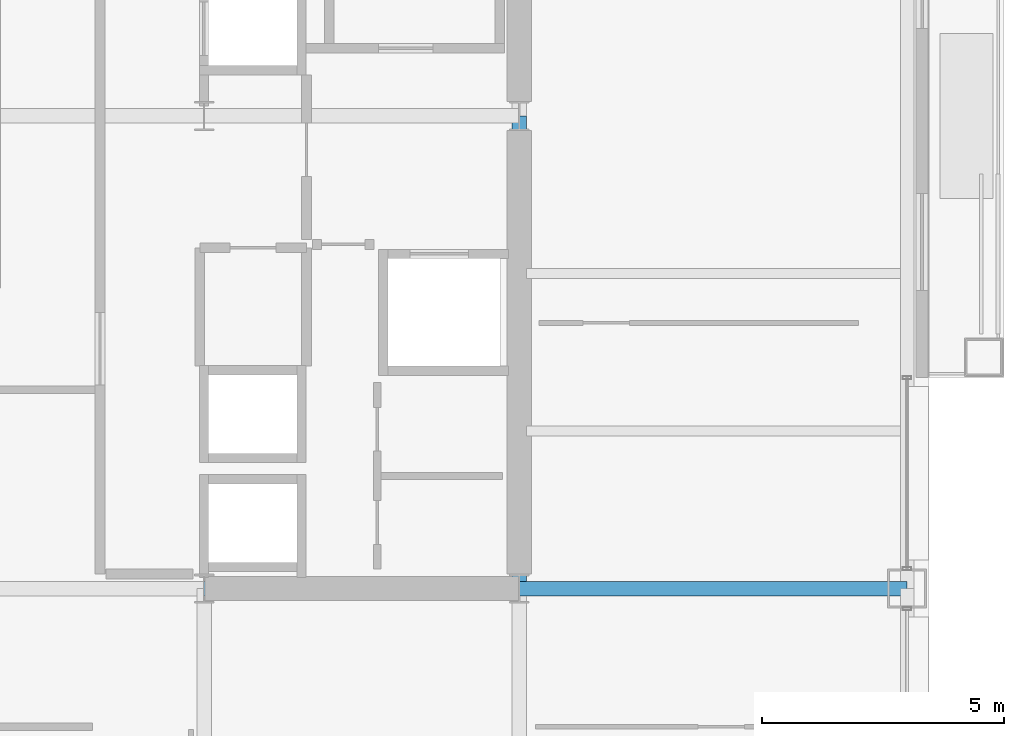
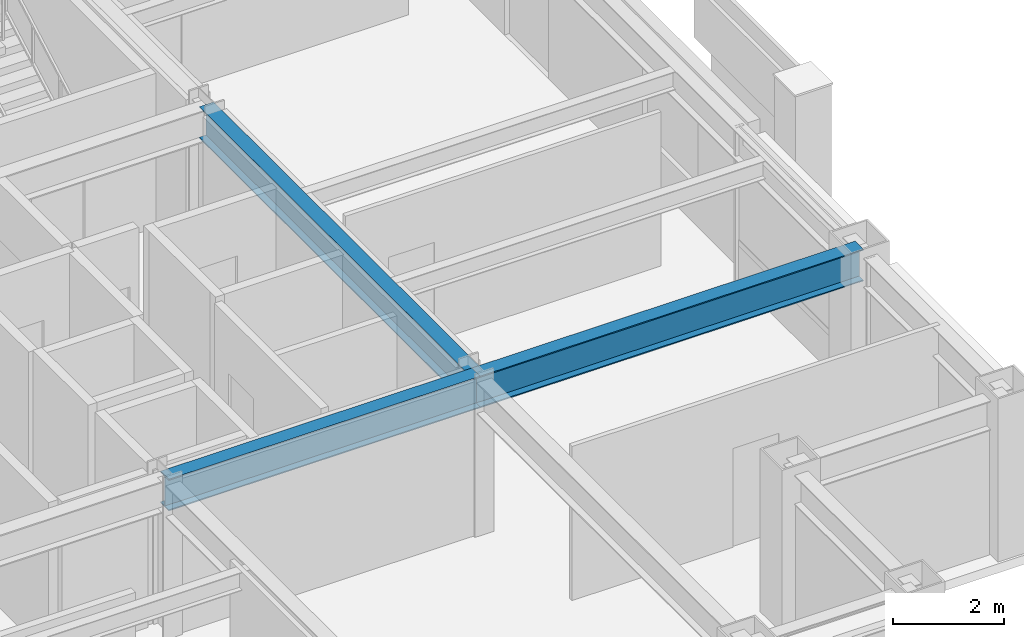
# One storey, part 13 of 29: 3 beams.
"""IFC4 building model written with IfcOpenShell, lengths in metres."""

from ifc_helpers import new_model, si_unit, direction, frame, origin, origin_2d, place, context, subcontext, project, spatial, i_section, extrude, material, material_profile, profile_set, type_object, element, save


model = new_model("IFC4")

# Units and contexts
model_context = context("Model", 3, precision=1e-05, world=origin(), true_north=direction((0.0, 1.0)))
body_context = subcontext(model_context, "Body", "Model", "MODEL_VIEW")
ifc_project = project(units=[si_unit("LENGTHUNIT", "METRE"), si_unit("AREAUNIT", "SQUARE_METRE"), si_unit("VOLUMEUNIT", "CUBIC_METRE"), si_unit("PLANEANGLEUNIT", "RADIAN"), si_unit("MASSUNIT", "GRAM", prefix="KILO")], contexts=[model_context])

# Site, building, storey
site_placement = place(None, origin())
site = spatial("IfcSite", under=ifc_project, at=site_placement, CompositionType="ELEMENT")
building_placement = place(site_placement, origin())
building = spatial("IfcBuilding", under=site, at=building_placement, Name="Brelmoor Portico Tower", CompositionType="ELEMENT")
storey_placement = place(building_placement, frame((0.0, 0.0, 127.800048828125)))
storey = spatial("IfcBuildingStorey", under=building, at=storey_placement, Name="L33", CompositionType="ELEMENT", Elevation=127.800048828125)

# Beams
ifc_material = material(Name="Steel Q355B", Category="steel")
ifc_material_profile = material_profile(ifc_material, i_section(OverallWidth=0.300048828125, OverallDepth=0.699951171875, WebThickness=0.012939453125, FlangeThickness=0.02392578125, at=origin_2d()), Name="HN 700x300x13x24")
ifc_profile_set = profile_set([ifc_material_profile], Name="Steel Q355B")
beam_type = type_object("IfcBeamType", Name="BM-PG-700", PredefinedType="BEAM", material=ifc_profile_set)
beam_1_placement = place(storey_placement, frame((14.550048828125, -9.75, 3.050048828125), z_axis=(0.0, 1.0, 0.0), x_axis=(-1.0, 0.0, 0.0)))
element("IfcBeam", 1, at=beam_1_placement, inside=storey, type_object=beam_type, Name="L33 Primary Floor Girder PG-11", PredefinedType="BEAM", context=body_context, shape_type="SweptSolid", body=[
    extrude(i_section(OverallWidth=0.300048828125, OverallDepth=0.699951171875, WebThickness=0.012939453125, FlangeThickness=0.02392578125, at=origin_2d()), origin(), (0.0, 0.0, 1.0), 9.75),
])
beam_2_placement = place(storey_placement, frame((8.050048828125, -9.75, 3.050048828125), z_axis=(1.0, 0.0, 0.0), x_axis=(0.0, 1.0, 0.0)))
element("IfcBeam", 2, at=beam_2_placement, inside=storey, type_object=beam_type, Name="L33 Primary Floor Girder PG-17", PredefinedType="BEAM", context=body_context, shape_type="SweptSolid", body=[
    extrude(i_section(OverallWidth=0.300048828125, OverallDepth=0.699951171875, WebThickness=0.012939453125, FlangeThickness=0.02392578125, at=origin_2d()), origin(), (0.0, 0.0, 1.0), 6.5),
])
beam_3_placement = place(storey_placement, frame((14.550048828125, -9.75, 3.050048828125), z_axis=(1.0, 0.0, 0.0), x_axis=(0.0, 1.0, 0.0)))
element("IfcBeam", 3, at=beam_3_placement, inside=storey, type_object=beam_type, Name="L33 Primary Floor Girder PG-18", PredefinedType="BEAM", context=body_context, shape_type="SweptSolid", body=[
    extrude(i_section(OverallWidth=0.300048828125, OverallDepth=0.699951171875, WebThickness=0.012939453125, FlangeThickness=0.02392578125, at=origin_2d()), origin(), (0.0, 0.0, 1.0), 8.0),
])

save(model, "model.ifc")
